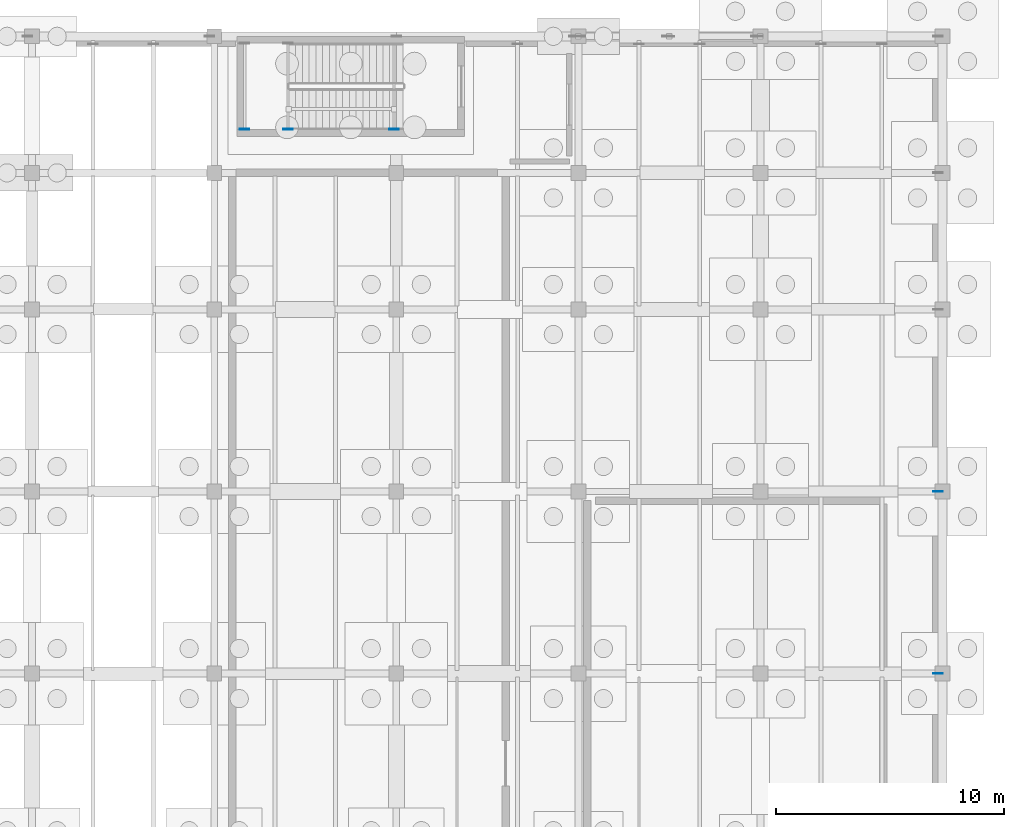
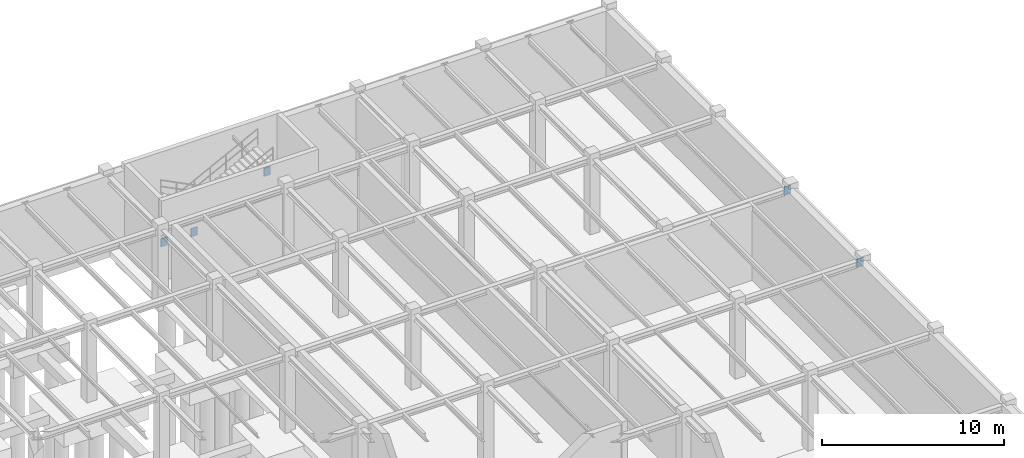
# One storey, part 50 of 71: 5 plates.
"""IFC4 building model written with IfcOpenShell, lengths in metres."""

from ifc_helpers import new_model, si_unit, direction, frame, origin, origin_2d, place, context, subcontext, project, spatial, rectangle, extrude, material, layer, layer_set, type_object, element, save


model = new_model("IFC4")

# Units and contexts
model_context = context("Model", 3, precision=1e-05, world=origin(), true_north=direction((0.0, 1.0)))
body_context = subcontext(model_context, "Body", "Model", "MODEL_VIEW")
ifc_project = project(units=[si_unit("LENGTHUNIT", "METRE"), si_unit("AREAUNIT", "SQUARE_METRE"), si_unit("VOLUMEUNIT", "CUBIC_METRE"), si_unit("PLANEANGLEUNIT", "RADIAN"), si_unit("MASSUNIT", "GRAM", prefix="KILO")], contexts=[model_context])

# Site, building, storey
site_placement = place(None, origin())
site = spatial("IfcSite", under=ifc_project, at=site_placement, CompositionType="ELEMENT")
building_placement = place(site_placement, origin())
building = spatial("IfcBuilding", under=site, at=building_placement, Name="Sundkrona Museum", CompositionType="ELEMENT")
storey_placement = place(building_placement, frame((0.0, 0.0, -5.39990234375)))
storey = spatial("IfcBuildingStorey", under=building, at=storey_placement, Name="B1", CompositionType="ELEMENT", Elevation=-5.39990234375)

# Plates
ifc_material = material(Name="Steel S355J2", Category="steel")
ifc_layer = layer(ifc_material, 0.034912109375)
ifc_layer_set = layer_set([ifc_layer], Name="Steel S355J2")
plate_type = type_object("IfcPlateType", Name="EP-1", PredefinedType="USERDEFINED", material=ifc_layer_set)
for number, where, z_axis, x_axis, name in (
    (1, (137.339599609375, 109.909912109375, 2.099853515625), (0.0, 0.0, 1.0), (1.0, 0.0, 0.0), "Core Wall Cast-In Embed Plate BM-STLD-ST-5-B1-1A-1"),
    (2, (139.245361328125, 109.909912109375, 2.099853515625), (0.0, 0.0, 1.0), (1.0, 0.0, 0.0), "Core Wall Cast-In Embed Plate BM-STLD-ST-5-B1-1B-1"),
    (3, (143.89990234375, 109.909912109375, 4.5341796875), (0.0, 0.0, 1.0), (1.0, 0.0, 0.0), "Core Wall Cast-In Embed Plate BM-STHD-ST-5-B1-2-1"),
    (4, (167.800048828125, 86.0, 4.544921875), (0.0, 0.0, 1.0), (1.0, 0.0, 0.0), "Structural Wall Cast-In Embed Plate BM-B1-X-0134-2"),
    (5, (167.800048828125, 94.0, 4.544921875), (0.0, 0.0, 1.0), (1.0, 0.0, 0.0), "Structural Wall Cast-In Embed Plate BM-B1-X-0154-2"),
):
    element("IfcPlate", number, at=place(storey_placement, frame(where, z_axis=z_axis, x_axis=x_axis)), inside=storey, type_object=plate_type, Name=name, ObjectType="GUSSET PLATE", PredefinedType="USERDEFINED", context=body_context, shape_type="SweptSolid", body=[
        extrude(rectangle(XDim=0.419921875, YDim=0.034912109375, at=origin_2d()), origin(), (0.0, 0.0, 1.0), 0.56005859375),
    ])

save(model, "model.ifc")
